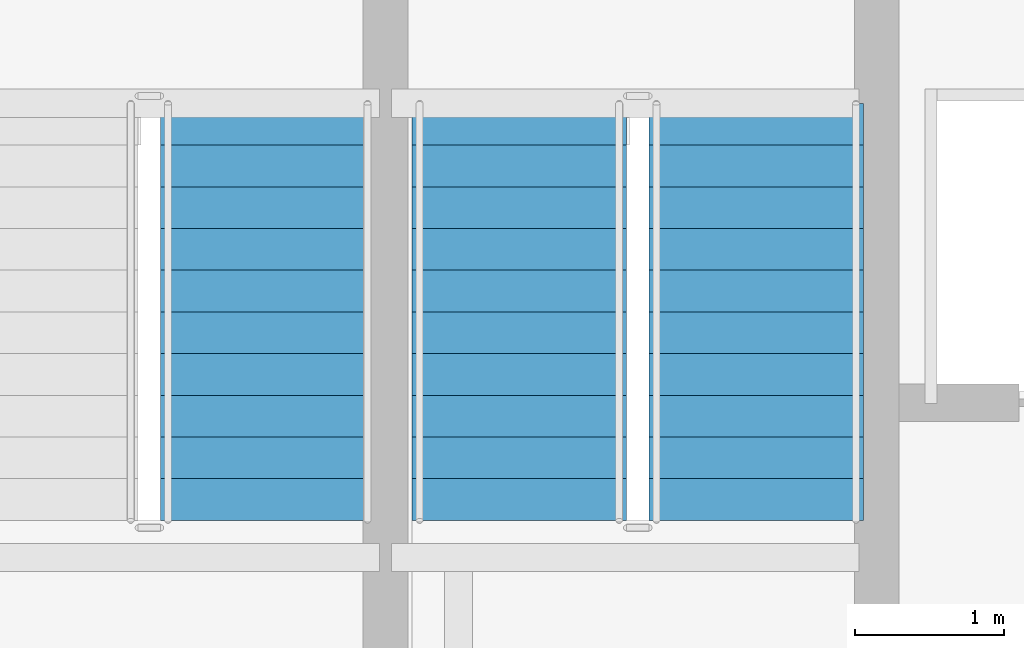
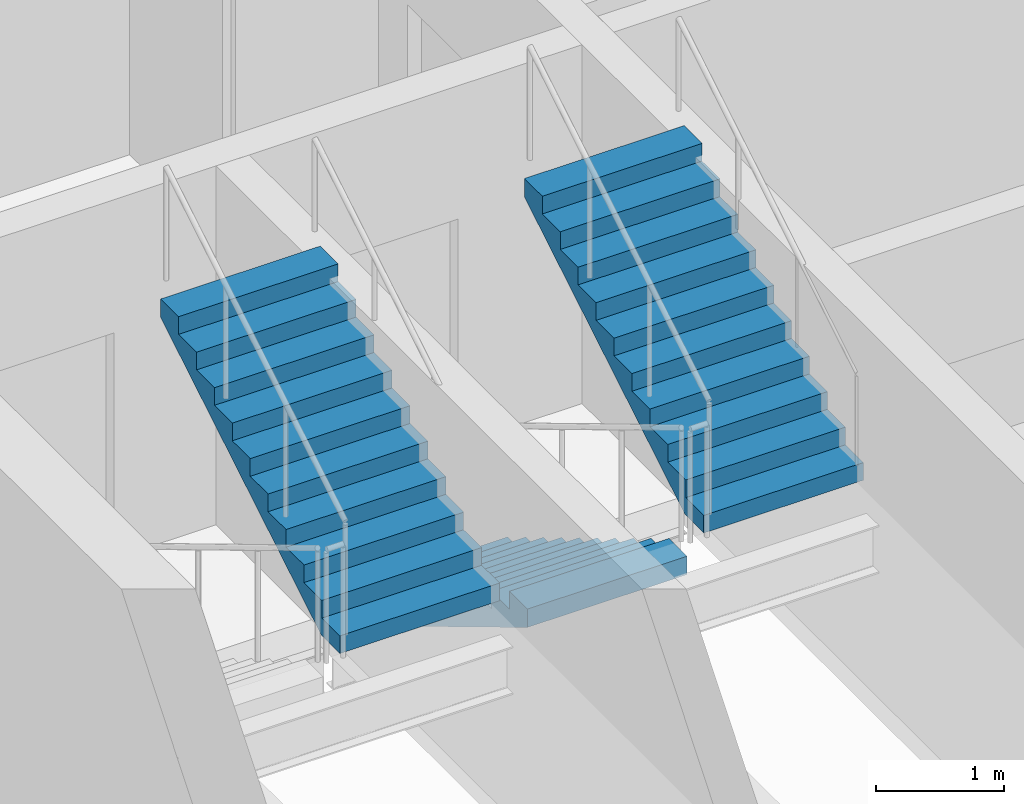
# One storey, part 22 of 28: 3 stair flights, 2 elements without a shape of their own.
"""IFC4 building model written with IfcOpenShell, lengths in metres."""

import ifcopenshell
import ifcopenshell.guid

model = None  # the IFC model being written
_history = None  # IfcOwnerHistory: only IFC2X3 demands one
_inside = {}  # id of a spatial element -> (the spatial element, [elements in it])
_under = {}  # id of a project, library or spatial element -> (it, [spatial elements below it])
_declared = {}  # id of a project -> (the project, [libraries it declares])
_typed = {}  # id of a type object -> (the type object, [elements of that type])
_made_of = {}  # id of a material, layer set ... -> (it, [elements and type objects made of it])


def new_model(schema):
    """Start an empty IFC model of exactly this schema.

    Asked for "IFC4X3", IfcOpenShell would pick the latest addendum, in which some entities
    have other attributes; the version numbers below select the first issue.
    IFC2X3 requires an IfcOwnerHistory on every rooted entity: one is made here for all.
    """
    global model, _history
    if schema == "IFC4X3":
        model = ifcopenshell.file(schema_version=(4, 3, 0, 0))
    else:
        model = ifcopenshell.file(schema=schema)
    _inside.clear()
    _under.clear()
    _declared.clear()
    _typed.clear()
    _made_of.clear()
    _history = None
    if model.schema == "IFC2X3":
        org = make("IfcOrganization", Name="unknown")
        user = make(
            "IfcPersonAndOrganization",
            ThePerson=make("IfcPerson", FamilyName="unknown"),
            TheOrganization=org,
        )
        app = make(
            "IfcApplication",
            ApplicationDeveloper=org,
            Version="unknown",
            ApplicationFullName="unknown",
            ApplicationIdentifier="unknown",
        )
        _history = make(
            "IfcOwnerHistory",
            OwningUser=user,
            OwningApplication=app,
            ChangeAction="ADDED",
            CreationDate=0,
        )
    return model


def make(cls, **values):
    """One entity of the class cls with the attributes given. An attribute that is None is left unset."""
    return model.create_entity(
        cls, **{name: value for name, value in values.items() if value is not None}
    )


def rooted(cls, **values):
    """An entity with a GlobalId (a new one), such as an element, a storey or a relation."""
    return make(cls, GlobalId=ifcopenshell.guid.new(), OwnerHistory=_history, **values)


def si_unit(unit_type, name, prefix=None):
    """IfcSIUnit, for example si_unit("LENGTHUNIT", "METRE", prefix="MILLI")."""
    return make("IfcSIUnit", UnitType=unit_type, Prefix=prefix, Name=name)


def assignment(units):
    """IfcUnitAssignment: the units of a project."""
    return None if units is None else make("IfcUnitAssignment", Units=units)


def point(xyz):
    """IfcCartesianPoint."""
    return None if xyz is None else make("IfcCartesianPoint", Coordinates=xyz)


def direction(xyz):
    """IfcDirection."""
    return None if xyz is None else make("IfcDirection", DirectionRatios=xyz)


def frame(location, z_axis=None, x_axis=None):
    """IfcAxis2Placement3D, a coordinate frame: its origin and axes. An axis left out is left unset."""
    return make(
        "IfcAxis2Placement3D",
        Location=point(location),
        Axis=direction(z_axis),
        RefDirection=direction(x_axis),
    )


def origin():
    """The frame at (0, 0, 0) with its axes left unset."""
    return frame((0.0, 0.0, 0.0))


def place(relative_to, where):
    """IfcLocalPlacement: puts the frame where relative to a parent placement (None: the world)."""
    return make(
        "IfcLocalPlacement", PlacementRelTo=relative_to, RelativePlacement=where
    )


def context(
    kind, dimensions, precision=None, world=None, true_north=None, identifier=None
):
    """IfcGeometricRepresentationContext, for example the 3D "Model" context."""
    return make(
        "IfcGeometricRepresentationContext",
        ContextIdentifier=identifier,
        ContextType=kind,
        CoordinateSpaceDimension=dimensions,
        Precision=precision,
        WorldCoordinateSystem=world,
        TrueNorth=true_north,
    )


def subcontext(parent, identifier, kind, view, scale=None):
    """IfcGeometricRepresentationSubContext, for example "Body" below "Model"."""
    return make(
        "IfcGeometricRepresentationSubContext",
        ContextIdentifier=identifier,
        ContextType=kind,
        ParentContext=parent,
        TargetScale=scale,
        TargetView=view,
    )


def project(units=None, contexts=None):
    """IfcProject with its units and contexts."""
    return rooted(
        "IfcProject",
        Name="project",
        RepresentationContexts=contexts,
        UnitsInContext=assignment(units),
    )


def spatial(cls, under=None, at=None, **own):
    """A site, building, storey or space (cls), placed at a placement, below another one or the project."""
    s = rooted(cls, ObjectPlacement=at, **own)
    if under is not None:
        _under.setdefault(under.id(), (under, []))[1].append(s)
    return s


def polyline(points):
    """IfcPolyline through the points."""
    return make("IfcPolyline", Points=[point(p) for p in points])


def outline(outer, holes=None, kind="AREA"):
    """IfcArbitraryClosedProfileDef: a profile drawn as a closed curve; with holes, ...WithVoids."""
    if holes is None:
        return make("IfcArbitraryClosedProfileDef", ProfileType=kind, OuterCurve=outer)
    return make(
        "IfcArbitraryProfileDefWithVoids",
        ProfileType=kind,
        OuterCurve=outer,
        InnerCurves=holes,
    )


def extrude(swept, where, along, depth):
    """IfcExtrudedAreaSolid: the profile swept, set in the frame where, extruded along a direction by depth."""
    return make(
        "IfcExtrudedAreaSolid",
        SweptArea=swept,
        Position=where,
        ExtrudedDirection=direction(along),
        Depth=depth,
    )


def shape(context_of_items, identifier, shape_type, items):
    """IfcShapeRepresentation: the items that make up one representation, for example the "Body"."""
    return make(
        "IfcShapeRepresentation",
        ContextOfItems=context_of_items,
        RepresentationIdentifier=identifier,
        RepresentationType=shape_type,
        Items=items,
    )


def material(Name=None, Category=None):
    """IfcMaterial."""
    return make("IfcMaterial", Name=Name, Category=Category)


def layer(
    of_material, thickness, ventilated=None, Name=None, Category=None, Priority=None
):
    """IfcMaterialLayer: one layer of a wall or slab, of a material (None: an air gap)."""
    return make(
        "IfcMaterialLayer",
        Material=of_material,
        LayerThickness=thickness,
        IsVentilated=ventilated,
        Name=Name,
        Category=Category,
        Priority=Priority,
    )


def layer_set(layers, Name=None):
    """IfcMaterialLayerSet."""
    return make("IfcMaterialLayerSet", MaterialLayers=layers, LayerSetName=Name)


def made_of(thing, what):
    """Note that an element or type object is made of a material, layer set ...; save() writes the relation."""
    if what is not None:
        _made_of.setdefault(what.id(), (what, []))[1].append(thing)
    return thing


def type_object(cls, material=None, **own):
    """A type object (cls), such as IfcWallType, which elements share."""
    return made_of(rooted(cls, **own), material)


def element(
    cls,
    number,
    at=None,
    inside=None,
    cuts=None,
    type_object=None,
    material=None,
    context=None,
    identifier="Body",
    shape_type=None,
    held_by="IfcProductDefinitionShape",
    body=None,
    shapes=None,
    **own,
):
    """One element of the class cls, such as IfcWall. Its Tag is "e" and its number.

    at: its placement. inside: the storey or other place that contains it. cuts: it is an
    opening in that element (IfcRelVoidsElement). A single representation is given by context,
    identifier, shape_type and body (its items); several are given by shapes. held_by: the class
    of the entity that holds the representations. save() writes the other relations.
    """
    e = rooted(cls, Tag="e%d" % number, ObjectPlacement=at, **own)
    if body is not None:
        shapes = [shape(context, identifier, shape_type, body)]
    if shapes is not None:
        e.Representation = make(held_by, Representations=shapes)
    if inside is not None:
        _inside.setdefault(inside.id(), (inside, []))[1].append(e)
    if cuts is not None:
        rooted(
            "IfcRelVoidsElement", RelatingBuildingElement=cuts, RelatedOpeningElement=e
        )
    if type_object is not None:
        _typed.setdefault(type_object.id(), (type_object, []))[1].append(e)
    return made_of(e, material)


def aggregate(whole, parts):
    """IfcRelAggregates: a whole, such as a stair, and the parts it consists of."""
    return rooted("IfcRelAggregates", RelatingObject=whole, RelatedObjects=parts)


def save(model, path):
    """Write the relations noted so far, then the file.

    IfcRelAggregates (storeys below a building ...), IfcRelContainedInSpatialStructure (elements
    in a storey), IfcRelDefinesByType, IfcRelAssociatesMaterial and IfcRelDeclares: one each for
    every whole, place, type object, material and project.
    """
    for whole, parts in _under.values():
        aggregate(whole, parts)
    for where, things in _inside.values():
        rooted(
            "IfcRelContainedInSpatialStructure",
            RelatedElements=things,
            RelatingStructure=where,
        )
    for kind, things in _typed.values():
        rooted("IfcRelDefinesByType", RelatedObjects=things, RelatingType=kind)
    for what, things in _made_of.values():
        rooted("IfcRelAssociatesMaterial", RelatedObjects=things, RelatingMaterial=what)
    for by, libraries in _declared.values():
        rooted("IfcRelDeclares", RelatingContext=by, RelatedDefinitions=libraries)
    model.write(path)


model = new_model("IFC4")

# Units and contexts
model_context = context("Model", 3, precision=1e-05, world=origin(), true_north=direction((0.0, 1.0)))
body_context = subcontext(model_context, "Body", "Model", "MODEL_VIEW")
ifc_project = project(units=[si_unit("LENGTHUNIT", "METRE"), si_unit("AREAUNIT", "SQUARE_METRE"), si_unit("VOLUMEUNIT", "CUBIC_METRE"), si_unit("PLANEANGLEUNIT", "RADIAN"), si_unit("MASSUNIT", "GRAM", prefix="KILO")], contexts=[model_context])

# Site, building, storey
site_placement = place(None, origin())
site = spatial("IfcSite", under=ifc_project, at=site_placement, CompositionType="ELEMENT")
building_placement = place(site_placement, origin())
building = spatial("IfcBuilding", under=site, at=building_placement, Name="Solvaryn Broadcast Tower", CompositionType="ELEMENT")
storey_placement = place(building_placement, frame((0.0, 0.0, 209.89990234375)))
storey = spatial("IfcBuildingStorey", under=building, at=storey_placement, Name="L52", CompositionType="ELEMENT", Elevation=209.89990234375)

# Stair, stair flight
ifc_material_1 = material(Name="Concrete f'c 60 MPa", Category="concrete")
stair_type = type_object("IfcStairType", Name="ST-CORE", PredefinedType="HALF_TURN_STAIR", material=ifc_material_1)
stair_1_placement = place(storey_placement, origin())
stair_1 = element("IfcStair", 1, at=stair_1_placement, inside=storey, type_object=stair_type, Name="L52 ST1", PredefinedType="HALF_TURN_STAIR")
ifc_material_2 = material(Name="Concrete f'c 60 MPa", Category="concrete")
ifc_layer = layer(ifc_material_2, 0.159912109375)
ifc_layer_set = layer_set([ifc_layer], Name="SF-CORE")
stair_flight_type = type_object("IfcStairFlightType", Name="SF-CORE", PredefinedType="STRAIGHT", material=ifc_layer_set)
stair_flight_1_placement = place(storey_placement, frame((13.830078125, 33.159912109375, 1.85009765625), z_axis=(0.0, 0.0, 1.0), x_axis=(0.0, 1.0, 0.0)))
stair_flight_1 = element("IfcStairFlight", 2, at=stair_flight_1_placement, type_object=stair_flight_type, Name="ST1 flight 2", NumberOfRisers=11, NumberOfTreads=10, PredefinedType="STRAIGHT", RiserHeight=0.168181818, TreadLength=0.28, context=body_context, shape_type="SweptSolid", body=[
    extrude(outline(polyline([(0.0, 0.0), (0.0, 0.168212890625), (0.280029296875, 0.168212890625), (0.280029296875, 0.33642578125), (0.56005859375, 0.33642578125), (0.56005859375, 0.504638671875), (0.840087890625, 0.504638671875), (0.840087890625, 0.672607421875), (1.1201171875, 0.672607421875), (1.1201171875, 0.8408203125), (1.39990234375, 0.8408203125), (1.39990234375, 1.009033203125), (1.679931640625, 1.009033203125), (1.679931640625, 1.17724609375), (1.9599609375, 1.17724609375), (1.9599609375, 1.345458984375), (2.239990234375, 1.345458984375), (2.239990234375, 1.513671875), (2.52001953125, 1.513671875), (2.52001953125, 1.681884765625), (2.800048828125, 1.681884765625), (2.800048828125, 1.85009765625), (2.800048828125, 1.5068359375), (0.291015625, 0.0), (0.0, 0.0)])), frame((0.0, 0.719970703125, 0.0), z_axis=(0.0, -1.0, 0.0), x_axis=(1.0, 0.0, 0.0)), (0.0, 0.0, 1.0), 1.43994140625),
])
aggregate(stair_1, [stair_flight_1])

# Stair, stair flights
stair_2_placement = place(storey_placement, origin())
stair_2 = element("IfcStair", 3, at=stair_2_placement, inside=storey, type_object=stair_type, Name="L52 ST2", PredefinedType="HALF_TURN_STAIR")
stair_flight_2_placement = place(storey_placement, frame((15.52001953125, 35.9599609375, 0.0), z_axis=(0.0, 0.0, 1.0), x_axis=(0.0, -1.0, 0.0)))
stair_flight_2 = element("IfcStairFlight", 4, at=stair_flight_2_placement, type_object=stair_flight_type, Name="ST2 flight 1", NumberOfRisers=11, NumberOfTreads=10, PredefinedType="STRAIGHT", RiserHeight=0.168181818, TreadLength=0.28, context=body_context, shape_type="SweptSolid", body=[
    extrude(outline(polyline([(0.0, 0.0), (0.0, 0.168212890625), (0.280029296875, 0.168212890625), (0.280029296875, 0.33642578125), (0.56005859375, 0.33642578125), (0.56005859375, 0.504638671875), (0.840087890625, 0.504638671875), (0.840087890625, 0.672607421875), (1.1201171875, 0.672607421875), (1.1201171875, 0.8408203125), (1.39990234375, 0.8408203125), (1.39990234375, 1.009033203125), (1.679931640625, 1.009033203125), (1.679931640625, 1.17724609375), (1.9599609375, 1.17724609375), (1.9599609375, 1.345458984375), (2.239990234375, 1.345458984375), (2.239990234375, 1.513671875), (2.52001953125, 1.513671875), (2.52001953125, 1.681884765625), (2.800048828125, 1.681884765625), (2.800048828125, 1.85009765625), (2.800048828125, 1.5068359375), (0.291015625, 0.0), (0.0, 0.0)])), frame((0.0, 0.719970703125, 0.0), z_axis=(0.0, -1.0, 0.0), x_axis=(1.0, 0.0, 0.0)), (0.0, 0.0, 1.0), 1.43994140625),
])
stair_flight_3_placement = place(storey_placement, frame((17.110107421875, 33.159912109375, 1.85009765625), z_axis=(0.0, 0.0, 1.0), x_axis=(0.0, 1.0, 0.0)))
stair_flight_3 = element("IfcStairFlight", 5, at=stair_flight_3_placement, type_object=stair_flight_type, Name="ST2 flight 2", NumberOfRisers=11, NumberOfTreads=10, PredefinedType="STRAIGHT", RiserHeight=0.168181818, TreadLength=0.28, context=body_context, shape_type="SweptSolid", body=[
    extrude(outline(polyline([(0.0, 0.0), (0.0, 0.168212890625), (0.280029296875, 0.168212890625), (0.280029296875, 0.33642578125), (0.56005859375, 0.33642578125), (0.56005859375, 0.504638671875), (0.840087890625, 0.504638671875), (0.840087890625, 0.672607421875), (1.1201171875, 0.672607421875), (1.1201171875, 0.8408203125), (1.39990234375, 0.8408203125), (1.39990234375, 1.009033203125), (1.679931640625, 1.009033203125), (1.679931640625, 1.17724609375), (1.9599609375, 1.17724609375), (1.9599609375, 1.345458984375), (2.239990234375, 1.345458984375), (2.239990234375, 1.513671875), (2.52001953125, 1.513671875), (2.52001953125, 1.681884765625), (2.800048828125, 1.681884765625), (2.800048828125, 1.85009765625), (2.800048828125, 1.5068359375), (0.291015625, 0.0), (0.0, 0.0)])), frame((0.0, 0.719970703125, 0.0), z_axis=(0.0, -1.0, 0.0), x_axis=(1.0, 0.0, 0.0)), (0.0, 0.0, 1.0), 1.43994140625),
])
aggregate(stair_2, [stair_flight_2, stair_flight_3])

save(model, "model.ifc")
